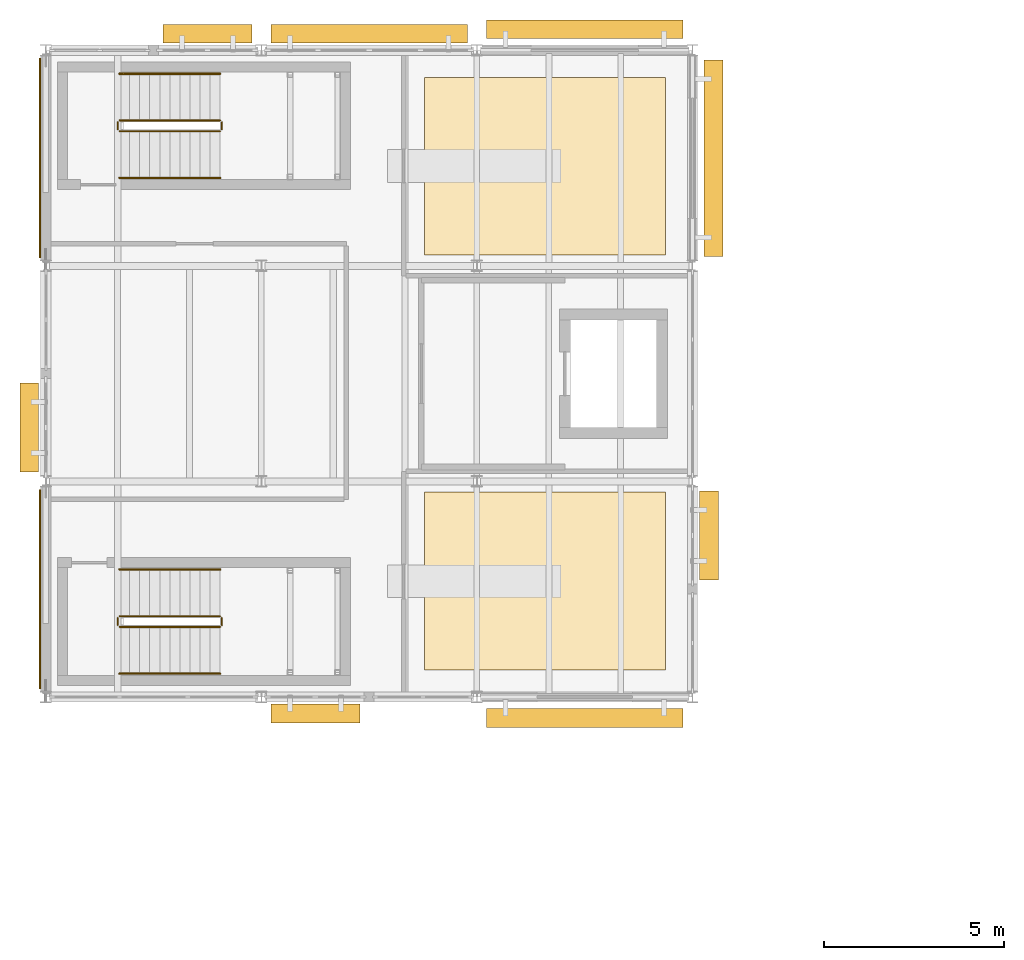
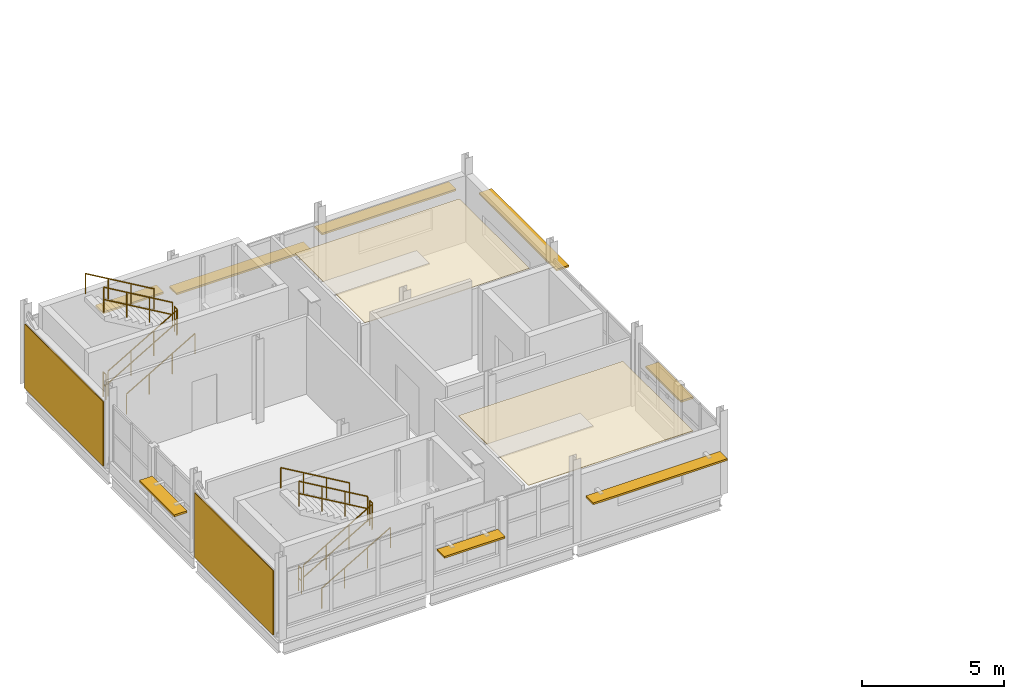
# One storey, part 19 of 20: 12 railings, 8 shading devices, 4 coverings.
"""IFC4 building model written with IfcOpenShell, lengths in metres."""

from ifc_helpers import new_model, si_unit, direction, frame, origin, origin_2d, place, context, subcontext, project, spatial, polyline, rectangle, circle, outline, extrude, material, layer, layer_set, type_object, element, save


model = new_model("IFC4")

# Units and contexts
model_context = context("Model", 3, precision=1e-05, world=origin(), true_north=direction((0.0, 1.0)))
body_context = subcontext(model_context, "Body", "Model", "MODEL_VIEW")
ifc_project = project(units=[si_unit("LENGTHUNIT", "METRE"), si_unit("AREAUNIT", "SQUARE_METRE"), si_unit("VOLUMEUNIT", "CUBIC_METRE"), si_unit("PLANEANGLEUNIT", "RADIAN"), si_unit("MASSUNIT", "GRAM", prefix="KILO")], contexts=[model_context])

# Site, building, storey
site_placement = place(None, origin())
site = spatial("IfcSite", under=ifc_project, at=site_placement, CompositionType="ELEMENT")
building_placement = place(site_placement, origin())
building = spatial("IfcBuilding", under=site, at=building_placement, Name="Siltcreek Boulevard Central Fire Station", CompositionType="ELEMENT")
storey_placement = place(building_placement, frame((0.0, 0.0, 18.0)))
storey = spatial("IfcBuildingStorey", under=building, at=storey_placement, Name="L05", CompositionType="ELEMENT", Elevation=18.0)

# Coverings
ifc_material_1 = material(Name="Mineral-fiber acoustic ceiling tile", Category="gypsum")
ifc_layer_1 = layer(ifc_material_1, 0.02490234375, Name="Mineral-fiber acoustic ceiling tile")
ifc_layer_set_1 = layer_set([ifc_layer_1], Name="Mineral-fiber acoustic ceiling tile")
covering_type_1 = type_object("IfcCoveringType", Name="COV_CEIL_ACT", PredefinedType="CEILING", material=ifc_layer_set_1)
covering_1_placement = place(storey_placement, frame((0.0, 0.0, 2.419921875)))
element("IfcCovering", 1, at=covering_1_placement, inside=storey, type_object=covering_type_1, Name="L05 High Angle Anchor Classroom acoustic ceiling ACT-038", PredefinedType="CEILING", context=body_context, shape_type="SweptSolid", body=[
    extrude(outline(polyline([(52.5400390625, 94.949951171875), (59.25, 94.949951171875), (59.25, 99.89990234375), (52.5400390625, 99.89990234375), (52.5400390625, 94.949951171875)])), origin(), (0.0, 0.0, 1.0), 0.025146484375),
])
covering_2_placement = place(storey_placement, frame((0.0, 0.0, 2.419921875)))
element("IfcCovering", 2, at=covering_2_placement, inside=storey, type_object=covering_type_1, Name="L05 Rope Rescue Instrumentation Lab acoustic ceiling ACT-039", PredefinedType="CEILING", context=body_context, shape_type="SweptSolid", body=[
    extrude(outline(polyline([(52.5400390625, 106.5), (59.25, 106.5), (59.25, 111.449951171875), (52.5400390625, 111.449951171875), (52.5400390625, 106.5)])), origin(), (0.0, 0.0, 1.0), 0.025146484375),
])
ifc_material_2 = material(Name="Crisp white ribbed aluminum facade panel", Category="aluminium")
ifc_layer_2 = layer(ifc_material_2, 0.0400390625, Name="Crisp white ribbed aluminum facade panel")
ifc_layer_set_2 = layer_set([ifc_layer_2], Name="Crisp white ribbed aluminum facade panel")
covering_type_2 = type_object("IfcCoveringType", Name="COV_CLAD_WHITE", PredefinedType="CLADDING", material=ifc_layer_set_2)
for number, where, z_axis, x_axis, name in (
    (3, (41.8369140625, 97.199951171875, 0.050048828125), (0.0, 0.0, 1.0), (0.0, -1.0, 0.0), "L05 V3 ventilated facade cladding panel CL-016"),
    (4, (41.8369140625, 109.199951171875, 0.050048828125), (0.0, 0.0, 1.0), (0.0, -1.0, 0.0), "L05 V3 ventilated facade cladding panel CL-017"),
):
    element("IfcCovering", number, at=place(storey_placement, frame(where, z_axis=z_axis, x_axis=x_axis)), inside=storey, type_object=covering_type_2, Name=name, PredefinedType="CLADDING", context=body_context, shape_type="SweptSolid", body=[
        extrude(rectangle(XDim=5.550048828125, YDim=0.0400390625, at=origin_2d()), origin(), (0.0, 0.0, 1.0), 2.77294921875),
    ])

# Railings
ifc_material_3 = material(Name="Painted galvanized steel stair guard", Category="steel")
railing_type_1 = type_object("IfcRailingType", Name="RL_ST_GUARD", PredefinedType="BALUSTRADE", material=ifc_material_3)
railing_1_placement = place(storey_placement, frame((44.050048828125, 96.14990234375, 0.16357421875)))
element("IfcRailing", 5, at=railing_1_placement, inside=storey, type_object=railing_type_1, Name="L05 ST-V3A stair guard 1", PredefinedType="BALUSTRADE", context=body_context, shape_type="SweptSolid", body=[
    extrude(circle(Radius=0.02392578125, at=origin_2d()), frame((0.0, 0.0, 1.076171875), z_axis=(0.863360870873, 0.0, 0.504586966384), x_axis=(0.0, 1.0, 0.0)), (0.0, 0.0, 1.0), 3.2431640625),
    extrude(circle(Radius=0.02392578125, at=origin_2d()), frame((0.0, 0.0, 0.550048828125), z_axis=(0.863360870873, 0.0, 0.504586966384), x_axis=(0.0, 1.0, 0.0)), (0.0, 0.0, 1.0), 3.2431640625),
    extrude(circle(Radius=0.02099609375, at=origin_2d()), origin(), (0.0, 0.0, 1.0), 1.052001953125),
    extrude(circle(Radius=0.02099609375, at=origin_2d()), frame((0.933349609375, 0.0, 0.54541015625)), (0.0, 0.0, 1.0), 1.052001953125),
    extrude(circle(Radius=0.02099609375, at=origin_2d()), frame((1.86669921875, 0.0, 1.091064453125)), (0.0, 0.0, 1.0), 1.052001953125),
    extrude(circle(Radius=0.02099609375, at=origin_2d()), frame((2.800048828125, 0.0, 1.636474609375)), (0.0, 0.0, 1.0), 1.052001953125),
])
railing_2_placement = place(storey_placement, frame((46.89990234375, 96.199951171875, 1.800048828125)))
element("IfcRailing", 6, at=railing_2_placement, inside=storey, type_object=railing_type_1, Name="L05 ST-V3A stair guard 2", PredefinedType="BALUSTRADE", context=body_context, shape_type="SweptSolid", body=[
    extrude(circle(Radius=0.02392578125, at=origin_2d()), frame((0.0, 0.0, 1.076171875), z_axis=(0.0, 1.0, 0.0), x_axis=(-1.0, 0.0, 0.0)), (0.0, 0.0, 1.0), 0.199951171875),
    extrude(circle(Radius=0.02392578125, at=origin_2d()), frame((0.0, 0.0, 0.550048828125), z_axis=(0.0, 1.0, 0.0), x_axis=(-1.0, 0.0, 0.0)), (0.0, 0.0, 1.0), 0.199951171875),
    extrude(circle(Radius=0.02099609375, at=origin_2d()), origin(), (0.0, 0.0, 1.0), 1.052001953125),
    extrude(circle(Radius=0.02099609375, at=origin_2d()), frame((0.0, 0.199951171875, 0.0)), (0.0, 0.0, 1.0), 1.052001953125),
])
railing_3_placement = place(storey_placement, frame((46.85009765625, 96.449951171875, 1.963623046875)))
element("IfcRailing", 7, at=railing_3_placement, inside=storey, type_object=railing_type_1, Name="L05 ST-V3A stair guard 3", PredefinedType="BALUSTRADE", context=body_context, shape_type="SweptSolid", body=[
    extrude(circle(Radius=0.02392578125, at=origin_2d()), frame((0.0, 0.0, 1.076171875), z_axis=(-0.863360870873, 0.0, 0.504586966384), x_axis=(0.0, -1.0, 0.0)), (0.0, 0.0, 1.0), 3.2431640625),
    extrude(circle(Radius=0.02392578125, at=origin_2d()), frame((0.0, 0.0, 0.550048828125), z_axis=(-0.863360870873, 0.0, 0.504586966384), x_axis=(0.0, -1.0, 0.0)), (0.0, 0.0, 1.0), 3.2431640625),
    extrude(circle(Radius=0.02099609375, at=origin_2d()), origin(), (0.0, 0.0, 1.0), 1.052001953125),
    extrude(circle(Radius=0.02099609375, at=origin_2d()), frame((-0.933349609375, 0.0, 0.54541015625)), (0.0, 0.0, 1.0), 1.052001953125),
    extrude(circle(Radius=0.02099609375, at=origin_2d()), frame((-1.86669921875, 0.0, 1.091064453125)), (0.0, 0.0, 1.0), 1.052001953125),
    extrude(circle(Radius=0.02099609375, at=origin_2d()), frame((-2.800048828125, 0.0, 1.636474609375)), (0.0, 0.0, 1.0), 1.052001953125),
])
railing_4_placement = place(storey_placement, frame((44.0, 96.199951171875, 0.0)))
element("IfcRailing", 8, at=railing_4_placement, inside=storey, type_object=railing_type_1, Name="L05 ST-V3A stair guard 4", PredefinedType="BALUSTRADE", context=body_context, shape_type="SweptSolid", body=[
    extrude(circle(Radius=0.02392578125, at=origin_2d()), frame((0.0, 0.0, 1.076171875), z_axis=(0.0, 1.0, 0.0), x_axis=(-1.0, 0.0, 0.0)), (0.0, 0.0, 1.0), 0.199951171875),
    extrude(circle(Radius=0.02392578125, at=origin_2d()), frame((0.0, 0.0, 0.550048828125), z_axis=(0.0, 1.0, 0.0), x_axis=(-1.0, 0.0, 0.0)), (0.0, 0.0, 1.0), 0.199951171875),
    extrude(circle(Radius=0.02099609375, at=origin_2d()), origin(), (0.0, 0.0, 1.0), 1.052001953125),
    extrude(circle(Radius=0.02099609375, at=origin_2d()), frame((0.0, 0.199951171875, 0.0)), (0.0, 0.0, 1.0), 1.052001953125),
])
railing_5_placement = place(storey_placement, frame((44.050048828125, 109.949951171875, 0.16357421875)))
element("IfcRailing", 9, at=railing_5_placement, inside=storey, type_object=railing_type_1, Name="L05 ST-V3B stair guard 1", PredefinedType="BALUSTRADE", context=body_context, shape_type="SweptSolid", body=[
    extrude(circle(Radius=0.02392578125, at=origin_2d()), frame((0.0, 0.0, 1.076171875), z_axis=(0.863360870873, 0.0, 0.504586966384), x_axis=(0.0, 1.0, 0.0)), (0.0, 0.0, 1.0), 3.2431640625),
    extrude(circle(Radius=0.02392578125, at=origin_2d()), frame((0.0, 0.0, 0.550048828125), z_axis=(0.863360870873, 0.0, 0.504586966384), x_axis=(0.0, 1.0, 0.0)), (0.0, 0.0, 1.0), 3.2431640625),
    extrude(circle(Radius=0.02099609375, at=origin_2d()), origin(), (0.0, 0.0, 1.0), 1.052001953125),
    extrude(circle(Radius=0.02099609375, at=origin_2d()), frame((0.933349609375, 0.0, 0.54541015625)), (0.0, 0.0, 1.0), 1.052001953125),
    extrude(circle(Radius=0.02099609375, at=origin_2d()), frame((1.86669921875, 0.0, 1.091064453125)), (0.0, 0.0, 1.0), 1.052001953125),
    extrude(circle(Radius=0.02099609375, at=origin_2d()), frame((2.800048828125, 0.0, 1.636474609375)), (0.0, 0.0, 1.0), 1.052001953125),
])
railing_6_placement = place(storey_placement, frame((46.89990234375, 110.0, 1.800048828125)))
element("IfcRailing", 10, at=railing_6_placement, inside=storey, type_object=railing_type_1, Name="L05 ST-V3B stair guard 2", PredefinedType="BALUSTRADE", context=body_context, shape_type="SweptSolid", body=[
    extrude(circle(Radius=0.02392578125, at=origin_2d()), frame((0.0, 0.0, 1.076171875), z_axis=(0.0, 1.0, 0.0), x_axis=(-1.0, 0.0, 0.0)), (0.0, 0.0, 1.0), 0.199951171875),
    extrude(circle(Radius=0.02392578125, at=origin_2d()), frame((0.0, 0.0, 0.550048828125), z_axis=(0.0, 1.0, 0.0), x_axis=(-1.0, 0.0, 0.0)), (0.0, 0.0, 1.0), 0.199951171875),
    extrude(circle(Radius=0.02099609375, at=origin_2d()), origin(), (0.0, 0.0, 1.0), 1.052001953125),
    extrude(circle(Radius=0.02099609375, at=origin_2d()), frame((0.0, 0.199951171875, 0.0)), (0.0, 0.0, 1.0), 1.052001953125),
])
railing_7_placement = place(storey_placement, frame((46.85009765625, 110.25, 1.963623046875)))
element("IfcRailing", 11, at=railing_7_placement, inside=storey, type_object=railing_type_1, Name="L05 ST-V3B stair guard 3", PredefinedType="BALUSTRADE", context=body_context, shape_type="SweptSolid", body=[
    extrude(circle(Radius=0.02392578125, at=origin_2d()), frame((0.0, 0.0, 1.076171875), z_axis=(-0.863360870873, 0.0, 0.504586966384), x_axis=(0.0, -1.0, 0.0)), (0.0, 0.0, 1.0), 3.2431640625),
    extrude(circle(Radius=0.02392578125, at=origin_2d()), frame((0.0, 0.0, 0.550048828125), z_axis=(-0.863360870873, 0.0, 0.504586966384), x_axis=(0.0, -1.0, 0.0)), (0.0, 0.0, 1.0), 3.2431640625),
    extrude(circle(Radius=0.02099609375, at=origin_2d()), origin(), (0.0, 0.0, 1.0), 1.052001953125),
    extrude(circle(Radius=0.02099609375, at=origin_2d()), frame((-0.933349609375, 0.0, 0.54541015625)), (0.0, 0.0, 1.0), 1.052001953125),
    extrude(circle(Radius=0.02099609375, at=origin_2d()), frame((-1.86669921875, 0.0, 1.091064453125)), (0.0, 0.0, 1.0), 1.052001953125),
    extrude(circle(Radius=0.02099609375, at=origin_2d()), frame((-2.800048828125, 0.0, 1.636474609375)), (0.0, 0.0, 1.0), 1.052001953125),
])
railing_8_placement = place(storey_placement, frame((44.0, 110.0, 0.0)))
element("IfcRailing", 12, at=railing_8_placement, inside=storey, type_object=railing_type_1, Name="L05 ST-V3B stair guard 4", PredefinedType="BALUSTRADE", context=body_context, shape_type="SweptSolid", body=[
    extrude(circle(Radius=0.02392578125, at=origin_2d()), frame((0.0, 0.0, 1.076171875), z_axis=(0.0, 1.0, 0.0), x_axis=(-1.0, 0.0, 0.0)), (0.0, 0.0, 1.0), 0.199951171875),
    extrude(circle(Radius=0.02392578125, at=origin_2d()), frame((0.0, 0.0, 0.550048828125), z_axis=(0.0, 1.0, 0.0), x_axis=(-1.0, 0.0, 0.0)), (0.0, 0.0, 1.0), 0.199951171875),
    extrude(circle(Radius=0.02099609375, at=origin_2d()), origin(), (0.0, 0.0, 1.0), 1.052001953125),
    extrude(circle(Radius=0.02099609375, at=origin_2d()), frame((0.0, 0.199951171875, 0.0)), (0.0, 0.0, 1.0), 1.052001953125),
])
ifc_material_4 = material(Name="Brushed stainless steel stair handrail", Category="steel")
railing_type_2 = type_object("IfcRailingType", Name="RL_ST_HAND", PredefinedType="HANDRAIL", material=ifc_material_4)
railing_9_placement = place(storey_placement, frame((44.050048828125, 94.85009765625, 0.16357421875)))
element("IfcRailing", 13, at=railing_9_placement, inside=storey, type_object=railing_type_2, Name="L05 ST-V3A stair handrail 1", PredefinedType="HANDRAIL", context=body_context, shape_type="SweptSolid", body=[
    extrude(circle(Radius=0.02392578125, at=origin_2d()), frame((0.0, 0.0, 0.8759765625), z_axis=(0.863360870873, 0.0, 0.504586966384), x_axis=(0.0, 1.0, 0.0)), (0.0, 0.0, 1.0), 3.2431640625),
    extrude(circle(Radius=0.02099609375, at=origin_2d()), origin(), (0.0, 0.0, 1.0), 0.851806640625),
    extrude(circle(Radius=0.02099609375, at=origin_2d()), frame((0.933349609375, 0.0, 0.54541015625)), (0.0, 0.0, 1.0), 0.851806640625),
    extrude(circle(Radius=0.02099609375, at=origin_2d()), frame((1.86669921875, 0.0, 1.091064453125)), (0.0, 0.0, 1.0), 0.851806640625),
    extrude(circle(Radius=0.02099609375, at=origin_2d()), frame((2.800048828125, 0.0, 1.636474609375)), (0.0, 0.0, 1.0), 0.851806640625),
])
railing_10_placement = place(storey_placement, frame((46.85009765625, 97.75, 1.963623046875)))
element("IfcRailing", 14, at=railing_10_placement, inside=storey, type_object=railing_type_2, Name="L05 ST-V3A stair handrail 2", PredefinedType="HANDRAIL", context=body_context, shape_type="SweptSolid", body=[
    extrude(circle(Radius=0.02392578125, at=origin_2d()), frame((0.0, 0.0, 0.8759765625), z_axis=(-0.863360870873, 0.0, 0.504586966384), x_axis=(0.0, -1.0, 0.0)), (0.0, 0.0, 1.0), 3.2431640625),
    extrude(circle(Radius=0.02099609375, at=origin_2d()), origin(), (0.0, 0.0, 1.0), 0.851806640625),
    extrude(circle(Radius=0.02099609375, at=origin_2d()), frame((-0.933349609375, 0.0, 0.54541015625)), (0.0, 0.0, 1.0), 0.851806640625),
    extrude(circle(Radius=0.02099609375, at=origin_2d()), frame((-1.86669921875, 0.0, 1.091064453125)), (0.0, 0.0, 1.0), 0.851806640625),
    extrude(circle(Radius=0.02099609375, at=origin_2d()), frame((-2.800048828125, 0.0, 1.636474609375)), (0.0, 0.0, 1.0), 0.851806640625),
])
railing_11_placement = place(storey_placement, frame((44.050048828125, 108.64990234375, 0.16357421875)))
element("IfcRailing", 15, at=railing_11_placement, inside=storey, type_object=railing_type_2, Name="L05 ST-V3B stair handrail 1", PredefinedType="HANDRAIL", context=body_context, shape_type="SweptSolid", body=[
    extrude(circle(Radius=0.02392578125, at=origin_2d()), frame((0.0, 0.0, 0.8759765625), z_axis=(0.863360870873, 0.0, 0.504586966384), x_axis=(0.0, 1.0, 0.0)), (0.0, 0.0, 1.0), 3.2431640625),
    extrude(circle(Radius=0.02099609375, at=origin_2d()), origin(), (0.0, 0.0, 1.0), 0.851806640625),
    extrude(circle(Radius=0.02099609375, at=origin_2d()), frame((0.933349609375, 0.0, 0.54541015625)), (0.0, 0.0, 1.0), 0.851806640625),
    extrude(circle(Radius=0.02099609375, at=origin_2d()), frame((1.86669921875, 0.0, 1.091064453125)), (0.0, 0.0, 1.0), 0.851806640625),
    extrude(circle(Radius=0.02099609375, at=origin_2d()), frame((2.800048828125, 0.0, 1.636474609375)), (0.0, 0.0, 1.0), 0.851806640625),
])
railing_12_placement = place(storey_placement, frame((46.85009765625, 111.550048828125, 1.963623046875)))
element("IfcRailing", 16, at=railing_12_placement, inside=storey, type_object=railing_type_2, Name="L05 ST-V3B stair handrail 2", PredefinedType="HANDRAIL", context=body_context, shape_type="SweptSolid", body=[
    extrude(circle(Radius=0.02392578125, at=origin_2d()), frame((0.0, 0.0, 0.8759765625), z_axis=(-0.863360870873, 0.0, 0.504586966384), x_axis=(0.0, -1.0, 0.0)), (0.0, 0.0, 1.0), 3.2431640625),
    extrude(circle(Radius=0.02099609375, at=origin_2d()), origin(), (0.0, 0.0, 1.0), 0.851806640625),
    extrude(circle(Radius=0.02099609375, at=origin_2d()), frame((-0.933349609375, 0.0, 0.54541015625)), (0.0, 0.0, 1.0), 0.851806640625),
    extrude(circle(Radius=0.02099609375, at=origin_2d()), frame((-1.86669921875, 0.0, 1.091064453125)), (0.0, 0.0, 1.0), 0.851806640625),
    extrude(circle(Radius=0.02099609375, at=origin_2d()), frame((-2.800048828125, 0.0, 1.636474609375)), (0.0, 0.0, 1.0), 0.851806640625),
])

# Shading devices
ifc_material_5 = material(Name="Frey sage-green anodized tubular aluminum sunshade", Category="aluminium")
ifc_layer_3 = layer(ifc_material_5, 0.080078125, Name="Frey sage-green anodized tubular aluminum sunshade")
ifc_layer_set_3 = layer_set([ifc_layer_3], Name="Frey sage-green anodized tubular aluminum sunshade")
shading_device_type = type_object("IfcShadingDeviceType", Name="SHD_BRISE", PredefinedType="USERDEFINED", material=ifc_layer_set_3)
shading_device_1_placement = place(storey_placement, frame((49.50244140625, 93.739990234375, 1.674560546875), z_axis=(0.0, 0.0, 1.0), x_axis=(1.0, 0.0, 0.0)))
element("IfcShadingDevice", 17, at=shading_device_1_placement, inside=storey, type_object=shading_device_type, Name="Anodized tubular aluminum brise-soleil SS-059", ObjectType="SUNSHADE", PredefinedType="USERDEFINED", context=body_context, shape_type="SweptSolid", body=[
    extrude(rectangle(XDim=2.47509765625, YDim=0.52001953125, at=origin_2d()), origin(), (0.0, 0.0, 1.0), 0.080078125),
])
shading_device_2_placement = place(storey_placement, frame((57.0, 93.614990234375, 1.9599609375), z_axis=(0.0, 0.0, 1.0), x_axis=(1.0, 0.0, 0.0)))
element("IfcShadingDevice", 18, at=shading_device_2_placement, inside=storey, type_object=shading_device_type, Name="Anodized tubular aluminum brise-soleil SS-060", ObjectType="SUNSHADE", PredefinedType="USERDEFINED", context=body_context, shape_type="SweptSolid", body=[
    extrude(rectangle(XDim=5.469970703125, YDim=0.52001953125, at=origin_2d()), origin(), (0.0, 0.0, 1.0), 0.080078125),
])
shading_device_3_placement = place(storey_placement, frame((46.49755859375, 112.659912109375, 1.79443359375), z_axis=(0.0, 0.0, 1.0), x_axis=(-1.0, 0.0, 0.0)))
element("IfcShadingDevice", 19, at=shading_device_3_placement, inside=storey, type_object=shading_device_type, Name="Anodized tubular aluminum brise-soleil SS-061", ObjectType="SUNSHADE", PredefinedType="USERDEFINED", context=body_context, shape_type="SweptSolid", body=[
    extrude(rectangle(XDim=2.47509765625, YDim=0.52001953125, at=origin_2d()), origin(), (0.0, 0.0, 1.0), 0.080078125),
])
for number, where, z_axis, x_axis, name in (
    (20, (51.0, 112.659912109375, 1.554443359375), (0.0, 0.0, 1.0), (-1.0, 0.0, 0.0), "Anodized tubular aluminum brise-soleil SS-062"),
    (21, (57.0, 112.784912109375, 1.9599609375), (0.0, 0.0, 1.0), (-1.0, 0.0, 0.0), "Anodized tubular aluminum brise-soleil SS-063"),
):
    element("IfcShadingDevice", number, at=place(storey_placement, frame(where, z_axis=z_axis, x_axis=x_axis)), inside=storey, type_object=shading_device_type, Name=name, ObjectType="SUNSHADE", PredefinedType="USERDEFINED", context=body_context, shape_type="SweptSolid", body=[
        extrude(rectangle(XDim=5.469970703125, YDim=0.52001953125, at=origin_2d()), origin(), (0.0, 0.0, 1.0), 0.080078125),
    ])
for number, where, z_axis, x_axis, name in (
    (22, (41.5400390625, 101.702392578125, 1.676513671875), (0.0, 0.0, 1.0), (0.0, -1.0, 0.0), "Anodized tubular aluminum brise-soleil SS-064"),
    (23, (60.4599609375, 98.697509765625, 1.79638671875), (0.0, 0.0, 1.0), (0.0, 1.0, 0.0), "Anodized tubular aluminum brise-soleil SS-065"),
):
    element("IfcShadingDevice", number, at=place(storey_placement, frame(where, z_axis=z_axis, x_axis=x_axis)), inside=storey, type_object=shading_device_type, Name=name, ObjectType="SUNSHADE", PredefinedType="USERDEFINED", context=body_context, shape_type="SweptSolid", body=[
        extrude(rectangle(XDim=2.47509765625, YDim=0.52001953125, at=origin_2d()), origin(), (0.0, 0.0, 1.0), 0.080078125),
    ])
shading_device_4_placement = place(storey_placement, frame((60.5849609375, 109.199951171875, 1.9599609375), z_axis=(0.0, 0.0, 1.0), x_axis=(0.0, 1.0, 0.0)))
element("IfcShadingDevice", 24, at=shading_device_4_placement, inside=storey, type_object=shading_device_type, Name="Anodized tubular aluminum brise-soleil SS-066", ObjectType="SUNSHADE", PredefinedType="USERDEFINED", context=body_context, shape_type="SweptSolid", body=[
    extrude(rectangle(XDim=5.469970703125, YDim=0.52001953125, at=origin_2d()), origin(), (0.0, 0.0, 1.0), 0.080078125),
])

save(model, "model.ifc")
